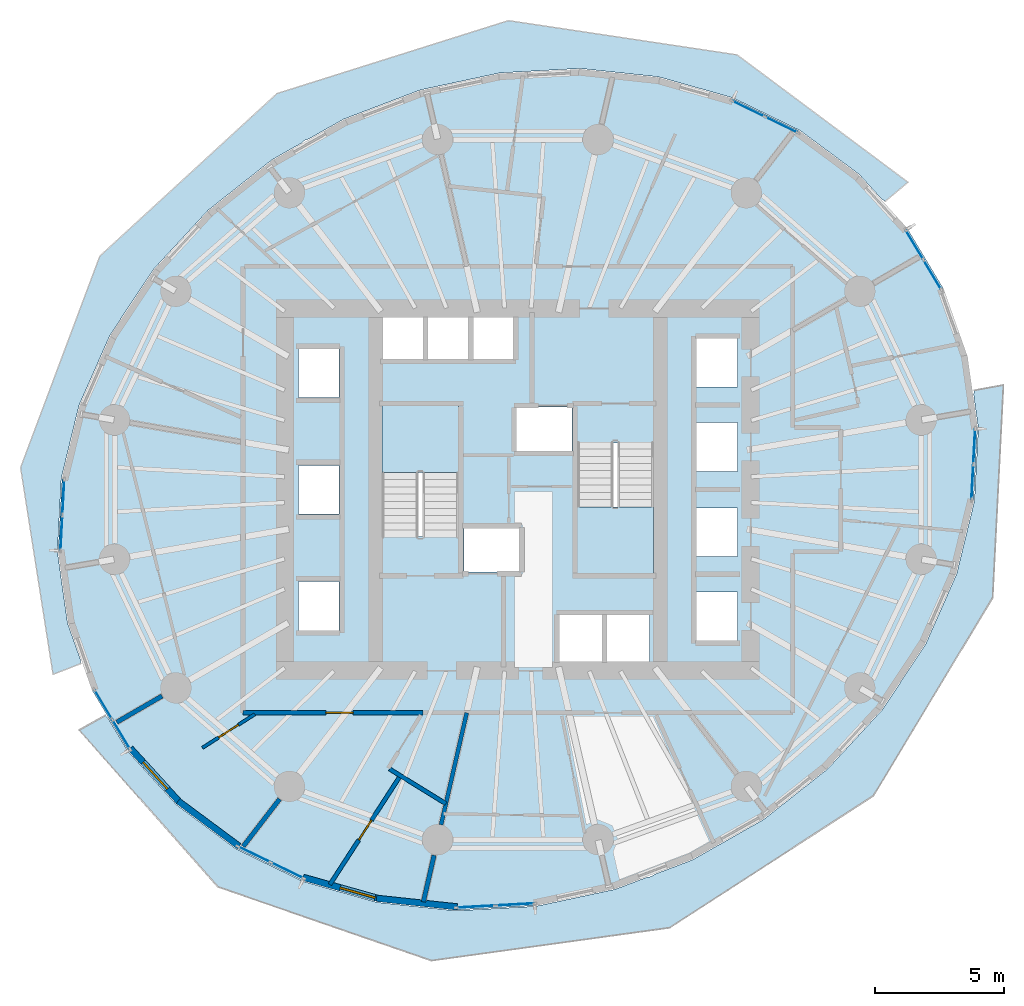
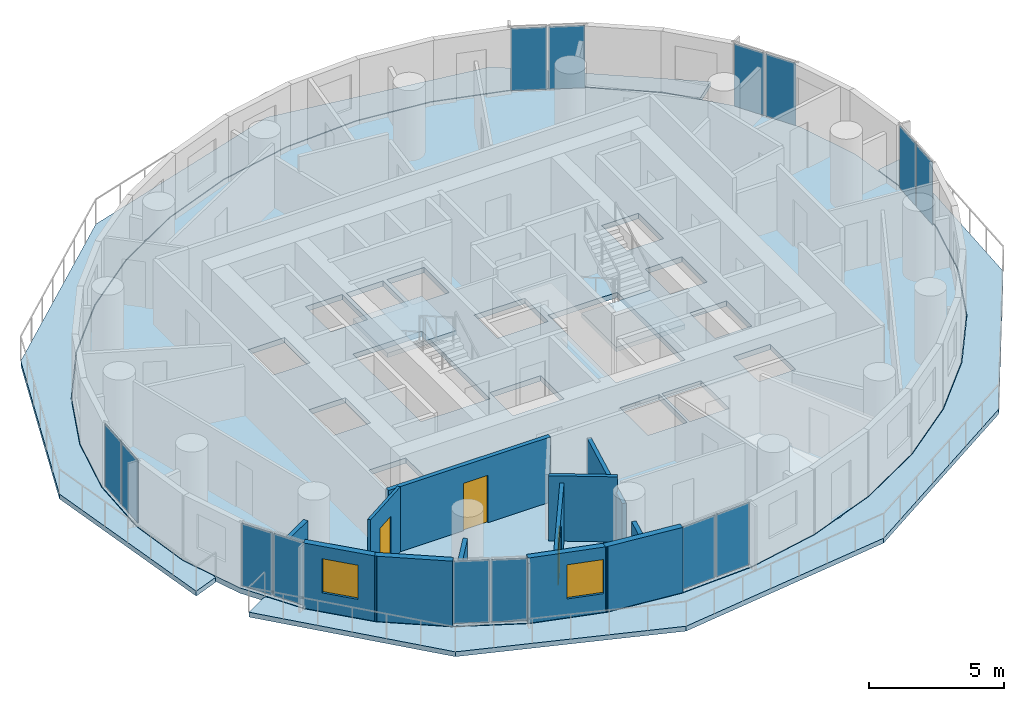
# One storey, part 6 of 15: 14 plates, 12 walls, 5 slabs, 3 doors, 2 windows, 5 openings, 9 elements without a shape of their own.
"""IFC4 building model written with IfcOpenShell, lengths in metres."""

from ifc_helpers import new_model, si_unit, direction, frame, frame_2d, origin, origin_2d, place, context, subcontext, project, spatial, polyline, rectangle, outline, extrude, material, layer, layer_set, type_object, element, fill, aggregate, save


model = new_model("IFC4")

# Units and contexts
model_context = context("Model", 3, precision=1e-05, world=origin(), true_north=direction((0.0, 1.0)))
body_context = subcontext(model_context, "Body", "Model", "MODEL_VIEW")
ifc_project = project(units=[si_unit("LENGTHUNIT", "METRE"), si_unit("AREAUNIT", "SQUARE_METRE"), si_unit("VOLUMEUNIT", "CUBIC_METRE"), si_unit("PLANEANGLEUNIT", "RADIAN"), si_unit("MASSUNIT", "GRAM", prefix="KILO")], contexts=[model_context])

# Site, building, storey
site_placement = place(None, origin())
site = spatial("IfcSite", under=ifc_project, at=site_placement, CompositionType="ELEMENT")
building_placement = place(site_placement, origin())
building = spatial("IfcBuilding", under=site, at=building_placement, Name="Veldorim Arch Residences", CompositionType="ELEMENT")
storey_placement = place(building_placement, frame((0.0, 0.0, 102.8798828125)))
storey = spatial("IfcBuildingStorey", under=building, at=storey_placement, Name="L30", CompositionType="ELEMENT", Elevation=102.8798828125)

# Slabs
ifc_material_1 = material(Name="Concrete C40/50", Category="concrete")
ifc_layer_1 = layer(ifc_material_1, 0.219970703125, Name="Planted Crescent Cantilever Balcony Slab 220")
ifc_layer_set_1 = layer_set([ifc_layer_1], Name="Concrete C40/50")
slab_type_1 = type_object("IfcSlabType", Name="Planted Crescent Cantilever Balcony Slab 220", PredefinedType="FLOOR", material=ifc_layer_set_1)
slab_1_placement = place(storey_placement, frame((0.0, 0.0, -0.219970703125)))
element("IfcSlab", 1, at=slab_1_placement, inside=storey, type_object=slab_type_1, Name="L30 planted crescent balcony slab A", PredefinedType="FLOOR", context=body_context, shape_type="SweptSolid", body=[
    extrude(outline(polyline([(46.057373046875, 35.239501953125), (45.190673828125, 36.190185546875), (42.910888671875, 37.880615234375), (40.2998046875, 39.149169921875), (37.436767578125, 39.957275390625), (34.408447265625, 40.280517578125), (31.307373046875, 40.109375), (28.227294921875, 39.44873046875), (25.261962890625, 38.319091796875), (23.923095703125, 37.56005859375), (23.7548828125, 37.504638671875), (23.631103515625, 37.39453125), (22.501220703125, 36.754150390625), (20.029052734375, 34.802001953125), (17.92041015625, 32.521728515625), (16.2392578125, 29.982421875), (15.036865234375, 27.26123046875), (14.35009765625, 24.44091796875), (14.19921875, 21.606689453125), (14.589599609375, 18.84521484375), (15.085205078125, 17.441650390625), (15.100830078125, 17.272705078125), (14.028564453125, 16.857177734375), (12.7744140625, 24.85107421875), (15.839111328125, 33.02880859375), (22.68603515625, 39.3125), (31.63671875, 42.13330078125), (40.476318359375, 40.808349609375), (47.08251953125, 35.884765625), (46.20166015625, 35.1455078125), (46.057373046875, 35.239501953125)])), origin(), (0.0, 0.0, 1.0), 0.219970703125),
])
slab_2_placement = place(storey_placement, frame((0.0, 0.0, -0.219970703125)))
element("IfcSlab", 2, at=slab_2_placement, inside=storey, type_object=slab_type_1, Name="L30 planted crescent balcony slab B", PredefinedType="FLOOR", context=body_context, shape_type="SweptSolid", body=[
    extrude(outline(polyline([(16.164794921875, 15.1474609375), (16.930419921875, 13.87109375), (18.809326171875, 11.809814453125), (21.089111328125, 10.119384765625), (23.7001953125, 8.850830078125), (26.563232421875, 8.042724609375), (29.591552734375, 7.719482421875), (32.692626953125, 7.890625), (35.772705078125, 8.55126953125), (36.986083984375, 9.013671875), (37.14990234375, 9.038818359375), (37.2998046875, 9.133056640625), (38.738037109375, 9.680908203125), (41.498779296875, 11.245849609375), (43.970947265625, 13.197998046875), (46.07958984375, 15.478271484375), (47.7607421875, 18.017578125), (48.963134765625, 20.73876953125), (49.64990234375, 23.55908203125), (49.80078125, 26.393310546875), (49.62060546875, 27.6669921875), (49.640380859375, 27.838134765625), (50.771484375, 28.045654296875), (50.35400390625, 19.81689453125), (45.740234375, 12.16162109375), (37.861572265625, 7.06298828125), (28.655517578125, 5.79248046875), (20.40087890625, 8.64404296875), (15.041015625, 14.705810546875), (16.044677734375, 15.26708984375), (16.164794921875, 15.1474609375)])), origin(), (0.0, 0.0, 1.0), 0.219970703125),
])

# Stair, slab
ifc_material_2 = material(Name="Concrete C40/50", Category="concrete")
stair_type = type_object("IfcStairType", Name="Reinforced Concrete Dogleg Exit Staircase", PredefinedType="HALF_TURN_STAIR", material=ifc_material_2)
stair_1_placement = place(storey_placement, origin())
stair_1 = element("IfcStair", 3, at=stair_1_placement, inside=storey, type_object=stair_type, Name="L30 Exit Staircase ST-1", PredefinedType="HALF_TURN_STAIR")
ifc_material_3 = material(Name="Concrete C40/50", Category="concrete")
ifc_layer_2 = layer(ifc_material_3, 0.199951171875, Name="Reinforced Concrete Stair Landing 200")
ifc_layer_set_2 = layer_set([ifc_layer_2], Name="Concrete C40/50")
slab_type_2 = type_object("IfcSlabType", Name="Reinforced Concrete Stair Landing 200", PredefinedType="LANDING", material=ifc_layer_set_2)
slab_3_placement = place(storey_placement, frame((0.0, 0.0, 1.400146484375)))
slab_3 = element("IfcSlab", 4, at=slab_3_placement, type_object=slab_type_2, Name="ST-1 landing 1", PredefinedType="LANDING", context=body_context, shape_type="SweptSolid", body=[
    extrude(outline(polyline([(29.7099609375, 24.669921875), (29.7099609375, 27.25), (26.75, 27.25), (26.75, 24.669921875), (29.7099609375, 24.669921875)])), origin(), (0.0, 0.0, 1.0), 0.199951171875),
])
aggregate(stair_1, [slab_3])

stair_2_placement = place(storey_placement, origin())
stair_2 = element("IfcStair", 5, at=stair_2_placement, inside=storey, type_object=stair_type, Name="L30 Exit Staircase ST-2", PredefinedType="HALF_TURN_STAIR")
slab_4_placement = place(storey_placement, frame((0.0, 0.0, 1.400146484375)))
slab_4 = element("IfcSlab", 6, at=slab_4_placement, type_object=slab_type_2, Name="ST-2 landing 1", PredefinedType="LANDING", context=body_context, shape_type="SweptSolid", body=[
    extrude(outline(polyline([(34.2900390625, 23.330078125), (34.2900390625, 20.75), (37.25, 20.75), (37.25, 23.330078125), (34.2900390625, 23.330078125)])), origin(), (0.0, 0.0, 1.0), 0.199951171875),
])
aggregate(stair_2, [slab_4])

# Slab
ifc_material_4 = material(Name="Concrete C40/50", Category="concrete")
ifc_layer_3 = layer(ifc_material_4, 0.239990234375, Name="Typical Residential Floor Slab 240")
ifc_layer_set_3 = layer_set([ifc_layer_3], Name="Concrete C40/50")
slab_type_3 = type_object("IfcSlabType", Name="Typical Residential Floor Slab 240", PredefinedType="FLOOR", material=ifc_layer_set_3)
slab_5_placement = place(storey_placement, frame((0.0, 0.0, -0.239990234375)))
element("IfcSlab", 7, at=slab_5_placement, inside=storey, type_object=slab_type_3, Name="L30 tower structural floor slab", PredefinedType="FLOOR", context=body_context, shape_type="SweptSolid", body=[
    extrude(outline(polyline([(48.468017578125, 31.749267578125), (47.049560546875, 34.114013671875), (45.173828125, 36.17138671875), (42.89794921875, 37.859130859375), (40.291015625, 39.125732421875), (37.431884765625, 39.9326171875), (34.407958984375, 40.255615234375), (31.310791015625, 40.08447265625), (28.234619140625, 39.4248046875), (25.272705078125, 38.29638671875), (22.515380859375, 36.7333984375), (20.046142578125, 34.78369140625), (17.940185546875, 32.50634765625), (16.26123046875, 29.970458984375), (15.060791015625, 27.253173828125), (14.374755859375, 24.43701171875), (14.224365234375, 21.60791015625), (14.614013671875, 18.85107421875), (15.531982421875, 16.250732421875), (16.950439453125, 13.885986328125), (18.826171875, 11.82861328125), (21.10205078125, 10.140869140625), (23.708984375, 8.874267578125), (26.568115234375, 8.0673828125), (29.592041015625, 7.744384765625), (32.689208984375, 7.91552734375), (35.765380859375, 8.5751953125), (38.727294921875, 9.70361328125), (41.484619140625, 11.2666015625), (43.953857421875, 13.21630859375), (46.059814453125, 15.49365234375), (47.73876953125, 18.029541015625), (48.939208984375, 20.746826171875), (49.625244140625, 23.56298828125), (49.775634765625, 26.39208984375), (49.385986328125, 29.14892578125), (48.468017578125, 31.749267578125)]), holes=[polyline([(23.510009765625, 20.43994140625), (25.090087890625, 20.43994140625), (25.090087890625, 18.56005859375), (23.510009765625, 18.56005859375), (23.510009765625, 20.43994140625)]), polyline([(29.909912109375, 22.544921875), (32.090087890625, 22.544921875), (32.090087890625, 20.81494140625), (29.909912109375, 20.81494140625), (29.909912109375, 22.544921875)]), polyline([(23.510009765625, 24.93994140625), (25.090087890625, 24.93994140625), (25.090087890625, 23.06005859375), (23.510009765625, 23.06005859375), (23.510009765625, 24.93994140625)]), polyline([(26.75, 27.25), (29.7099609375, 27.25), (29.7099609375, 22.195068359375), (26.75, 22.195068359375), (26.75, 27.25)]), polyline([(23.510009765625, 29.43994140625), (25.090087890625, 29.43994140625), (25.090087890625, 27.56005859375), (23.510009765625, 27.56005859375), (23.510009765625, 29.43994140625)]), polyline([(26.760009765625, 30.7900390625), (28.340087890625, 30.7900390625), (28.340087890625, 28.909912109375), (26.760009765625, 28.909912109375), (26.760009765625, 30.7900390625)]), polyline([(28.510009765625, 30.7900390625), (30.090087890625, 30.7900390625), (30.090087890625, 28.909912109375), (28.510009765625, 28.909912109375), (28.510009765625, 30.7900390625)]), polyline([(30.260009765625, 30.7900390625), (31.840087890625, 30.7900390625), (31.840087890625, 28.909912109375), (30.260009765625, 28.909912109375), (30.260009765625, 30.7900390625)]), polyline([(33.610107421875, 19.2900390625), (35.2900390625, 19.2900390625), (35.2900390625, 17.2099609375), (33.610107421875, 17.2099609375), (33.610107421875, 19.2900390625)]), polyline([(35.409912109375, 19.2900390625), (37.090087890625, 19.2900390625), (37.090087890625, 17.2099609375), (35.409912109375, 17.2099609375), (35.409912109375, 19.2900390625)]), polyline([(38.909912109375, 20.0400390625), (40.489990234375, 20.0400390625), (40.489990234375, 18.159912109375), (38.909912109375, 18.159912109375), (38.909912109375, 20.0400390625)]), polyline([(38.909912109375, 23.2900390625), (40.489990234375, 23.2900390625), (40.489990234375, 21.409912109375), (38.909912109375, 21.409912109375), (38.909912109375, 23.2900390625)]), polyline([(34.2900390625, 25.804931640625), (37.25, 25.804931640625), (37.25, 20.75), (34.2900390625, 20.75), (34.2900390625, 25.804931640625)]), polyline([(38.909912109375, 26.590087890625), (40.489990234375, 26.590087890625), (40.489990234375, 24.7099609375), (38.909912109375, 24.7099609375), (38.909912109375, 26.590087890625)]), polyline([(31.909912109375, 27.18505859375), (34.090087890625, 27.18505859375), (34.090087890625, 25.455078125), (31.909912109375, 25.455078125), (31.909912109375, 27.18505859375)]), polyline([(38.909912109375, 29.840087890625), (40.489990234375, 29.840087890625), (40.489990234375, 27.9599609375), (38.909912109375, 27.9599609375), (38.909912109375, 29.840087890625)])]), origin(), (0.0, 0.0, 1.0), 0.239990234375),
])

# Curtain wall, plates
ifc_material_5 = material(Name="Aluminium", Category="aluminium")
curtain_wall_type = type_object("IfcCurtainWallType", Name="Zone 2 Solar-Control Unitised Curtain Wall", PredefinedType="NOTDEFINED", material=ifc_material_5)
curtain_wall_1_placement = place(storey_placement, origin())
curtain_wall_1 = element("IfcCurtainWall", 8, at=curtain_wall_1_placement, inside=storey, type_object=curtain_wall_type, Name="L30 unitised curtain wall bay 01", PredefinedType="NOTDEFINED")
ifc_material_6 = material(Name="Laminated Low-E Glass", Category="glass")
ifc_layer_4 = layer(ifc_material_6, 0.02587890625, Name="Zone 2 Solar-Control Unitised Curtain Wall Glazing Panel 26")
ifc_layer_set_4 = layer_set([ifc_layer_4], Name="Laminated Low-E Glass")
plate_type = type_object("IfcPlateType", Name="Zone 2 Solar-Control Unitised Curtain Wall Glazing Panel 26", PredefinedType="CURTAIN_PANEL", material=ifc_layer_set_4)
plate_1_placement = place(storey_placement, frame((47.335205078125, 33.462646484375, 0.065185546875), z_axis=(0.0, 0.0, 1.0), x_axis=(0.514367759315, -0.85756971039, 0.0)))
plate_1 = element("IfcPlate", 9, at=plate_1_placement, type_object=plate_type, Name="CW-Z2 panel 1.1", PredefinedType="CURTAIN_PANEL", context=body_context, shape_type="SweptSolid", body=[
    extrude(rectangle(XDim=1.28125, YDim=0.02587890625, at=origin_2d()), origin(), (0.0, 0.0, 1.0), 2.830078125),
])
plate_2_placement = place(storey_placement, frame((48.02783203125, 32.30810546875, 0.065185546875), z_axis=(0.0, 0.0, 1.0), x_axis=(0.514367759315, -0.85756971039, 0.0)))
plate_2 = element("IfcPlate", 10, at=plate_2_placement, type_object=plate_type, Name="CW-Z2 panel 2.1", PredefinedType="CURTAIN_PANEL", context=body_context, shape_type="SweptSolid", body=[
    extrude(rectangle(XDim=1.28125, YDim=0.02587890625, at=origin_2d()), origin(), (0.0, 0.0, 1.0), 2.830078125),
])
aggregate(curtain_wall_1, [plate_1, plate_2])

curtain_wall_2_placement = place(storey_placement, origin())
curtain_wall_2 = element("IfcCurtainWall", 11, at=curtain_wall_2_placement, inside=storey, type_object=curtain_wall_type, Name="L30 unitised curtain wall bay 04", PredefinedType="NOTDEFINED")
plate_3_placement = place(storey_placement, frame((40.91796875, 38.720947265625, 0.065185546875), z_axis=(0.0, 0.0, 1.0), x_axis=(0.899461664946, -0.436999671959, 0.0)))
plate_3 = element("IfcPlate", 12, at=plate_3_placement, type_object=plate_type, Name="CW-Z2 panel 1.1", PredefinedType="CURTAIN_PANEL", context=body_context, shape_type="SweptSolid", body=[
    extrude(rectangle(XDim=1.351806640625, YDim=0.02587890625, at=origin_2d()), origin(), (0.0, 0.0, 1.0), 2.830078125),
])
plate_4_placement = place(storey_placement, frame((42.192138671875, 38.101806640625, 0.065185546875), z_axis=(0.0, 0.0, 1.0), x_axis=(0.899461664946, -0.436999671959, 0.0)))
plate_4 = element("IfcPlate", 13, at=plate_4_placement, type_object=plate_type, Name="CW-Z2 panel 2.1", PredefinedType="CURTAIN_PANEL", context=body_context, shape_type="SweptSolid", body=[
    extrude(rectangle(XDim=1.351806640625, YDim=0.02587890625, at=origin_2d()), origin(), (0.0, 0.0, 1.0), 2.830078125),
])
aggregate(curtain_wall_2, [plate_3, plate_4])

curtain_wall_3_placement = place(storey_placement, origin())
curtain_wall_3 = element("IfcCurtainWall", 14, at=curtain_wall_3_placement, inside=storey, type_object=curtain_wall_type, Name="L30 unitised curtain wall bay 16", PredefinedType="NOTDEFINED")
plate_5_placement = place(storey_placement, frame((14.352783203125, 22.32666015625, 0.065185546875), z_axis=(0.0, 0.0, 1.0), x_axis=(0.053083077429, 0.998590099536, 0.0)))
plate_5 = element("IfcPlate", 15, at=plate_5_placement, type_object=plate_type, Name="CW-Z2 panel 1.1", PredefinedType="CURTAIN_PANEL", context=body_context, shape_type="SweptSolid", body=[
    extrude(rectangle(XDim=1.319091796875, YDim=0.02587890625, at=origin_2d()), origin(), (0.0, 0.0, 1.0), 2.830078125),
])
plate_6_placement = place(storey_placement, frame((14.42626953125, 23.708740234375, 0.065185546875), z_axis=(0.0, 0.0, 1.0), x_axis=(0.053083077429, 0.998590099536, 0.0)))
plate_6 = element("IfcPlate", 16, at=plate_6_placement, type_object=plate_type, Name="CW-Z2 panel 2.1", PredefinedType="CURTAIN_PANEL", context=body_context, shape_type="SweptSolid", body=[
    extrude(rectangle(XDim=1.319091796875, YDim=0.02587890625, at=origin_2d()), origin(), (0.0, 0.0, 1.0), 2.830078125),
])
aggregate(curtain_wall_3, [plate_5, plate_6])

curtain_wall_4_placement = place(storey_placement, origin())
curtain_wall_4 = element("IfcCurtainWall", 17, at=curtain_wall_4_placement, inside=storey, type_object=curtain_wall_type, Name="L30 unitised curtain wall bay 19", PredefinedType="NOTDEFINED")
plate_7_placement = place(storey_placement, frame((16.664794921875, 14.537353515625, 0.065185546875), z_axis=(0.0, 0.0, 1.0), x_axis=(-0.514367759315, 0.85756971039, 0.0)))
plate_7 = element("IfcPlate", 18, at=plate_7_placement, type_object=plate_type, Name="CW-Z2 panel 1.1", PredefinedType="CURTAIN_PANEL", context=body_context, shape_type="SweptSolid", body=[
    extrude(rectangle(XDim=1.28125, YDim=0.02587890625, at=origin_2d()), origin(), (0.0, 0.0, 1.0), 2.830078125),
])
plate_8_placement = place(storey_placement, frame((15.97216796875, 15.69189453125, 0.065185546875), z_axis=(0.0, 0.0, 1.0), x_axis=(-0.514367759315, 0.85756971039, 0.0)))
plate_8 = element("IfcPlate", 19, at=plate_8_placement, type_object=plate_type, Name="CW-Z2 panel 2.1", PredefinedType="CURTAIN_PANEL", context=body_context, shape_type="SweptSolid", body=[
    extrude(rectangle(XDim=1.28125, YDim=0.02587890625, at=origin_2d()), origin(), (0.0, 0.0, 1.0), 2.830078125),
])
aggregate(curtain_wall_4, [plate_7, plate_8])

curtain_wall_5_placement = place(storey_placement, origin())
curtain_wall_5 = element("IfcCurtainWall", 20, at=curtain_wall_5_placement, inside=storey, type_object=curtain_wall_type, Name="L30 unitised curtain wall bay 22", PredefinedType="NOTDEFINED")
plate_9_placement = place(storey_placement, frame((23.08203125, 9.279052734375, 0.065185546875), z_axis=(0.0, 0.0, 1.0), x_axis=(-0.899461664946, 0.436999671959, 0.0)))
plate_9 = element("IfcPlate", 21, at=plate_9_placement, type_object=plate_type, Name="CW-Z2 panel 1.1", PredefinedType="CURTAIN_PANEL", context=body_context, shape_type="SweptSolid", body=[
    extrude(rectangle(XDim=1.351806640625, YDim=0.02587890625, at=origin_2d()), origin(), (0.0, 0.0, 1.0), 2.830078125),
])
plate_10_placement = place(storey_placement, frame((21.807861328125, 9.898193359375, 0.065185546875), z_axis=(0.0, 0.0, 1.0), x_axis=(-0.899461664946, 0.436999671959, 0.0)))
plate_10 = element("IfcPlate", 22, at=plate_10_placement, type_object=plate_type, Name="CW-Z2 panel 2.1", PredefinedType="CURTAIN_PANEL", context=body_context, shape_type="SweptSolid", body=[
    extrude(rectangle(XDim=1.351806640625, YDim=0.02587890625, at=origin_2d()), origin(), (0.0, 0.0, 1.0), 2.830078125),
])
aggregate(curtain_wall_5, [plate_9, plate_10])

curtain_wall_6_placement = place(storey_placement, origin())
curtain_wall_6 = element("IfcCurtainWall", 23, at=curtain_wall_6_placement, inside=storey, type_object=curtain_wall_type, Name="L30 unitised curtain wall bay 25", PredefinedType="NOTDEFINED")
plate_11_placement = place(storey_placement, frame((31.893798828125, 7.961669921875, 0.065185546875), z_axis=(0.0, 0.0, 1.0), x_axis=(-0.998479339649, -0.055127201045, 0.0)))
plate_11 = element("IfcPlate", 24, at=plate_11_placement, type_object=plate_type, Name="CW-Z2 panel 1.1", PredefinedType="CURTAIN_PANEL", context=body_context, shape_type="SweptSolid", body=[
    extrude(rectangle(XDim=1.453369140625, YDim=0.02587890625, at=origin_2d()), origin(), (0.0, 0.0, 1.0), 2.830078125),
])
plate_12_placement = place(storey_placement, frame((30.377685546875, 7.8779296875, 0.065185546875), z_axis=(0.0, 0.0, 1.0), x_axis=(-0.998479339649, -0.055127201045, 0.0)))
plate_12 = element("IfcPlate", 25, at=plate_12_placement, type_object=plate_type, Name="CW-Z2 panel 2.1", PredefinedType="CURTAIN_PANEL", context=body_context, shape_type="SweptSolid", body=[
    extrude(rectangle(XDim=1.453369140625, YDim=0.02587890625, at=origin_2d()), origin(), (0.0, 0.0, 1.0), 2.830078125),
])
aggregate(curtain_wall_6, [plate_11, plate_12])

curtain_wall_7_placement = place(storey_placement, origin())
curtain_wall_7 = element("IfcCurtainWall", 26, at=curtain_wall_7_placement, inside=storey, type_object=curtain_wall_type, Name="L30 unitised curtain wall bay 34", PredefinedType="NOTDEFINED")
plate_13_placement = place(storey_placement, frame((49.647216796875, 25.67333984375, 0.065185546875), z_axis=(0.0, 0.0, 1.0), x_axis=(-0.053083077429, -0.998590099536, 0.0)))
plate_13 = element("IfcPlate", 27, at=plate_13_placement, type_object=plate_type, Name="CW-Z2 panel 1.1", PredefinedType="CURTAIN_PANEL", context=body_context, shape_type="SweptSolid", body=[
    extrude(rectangle(XDim=1.319091796875, YDim=0.02587890625, at=origin_2d()), origin(), (0.0, 0.0, 1.0), 2.830078125),
])
plate_14_placement = place(storey_placement, frame((49.57373046875, 24.291259765625, 0.065185546875), z_axis=(0.0, 0.0, 1.0), x_axis=(-0.053083077429, -0.998590099536, 0.0)))
plate_14 = element("IfcPlate", 28, at=plate_14_placement, type_object=plate_type, Name="CW-Z2 panel 2.1", PredefinedType="CURTAIN_PANEL", context=body_context, shape_type="SweptSolid", body=[
    extrude(rectangle(XDim=1.319091796875, YDim=0.02587890625, at=origin_2d()), origin(), (0.0, 0.0, 1.0), 2.830078125),
])
aggregate(curtain_wall_7, [plate_13, plate_14])

# Wall, opening, door
ifc_material_7 = material(Name="Acoustic Gypsum Board", Category="gypsum")
ifc_layer_5 = layer(ifc_material_7, 0.125, Name="Acoustic Stud Room Partition Wall 125")
ifc_layer_set_5 = layer_set([ifc_layer_5], Name="Acoustic Gypsum Board")
wall_type_1 = type_object("IfcWallType", Name="Acoustic Stud Room Partition Wall 125", PredefinedType="PARTITIONING", material=ifc_layer_set_5)
wall_1_placement = place(storey_placement, frame((19.80224609375, 14.01416015625, 0.0), z_axis=(0.0, 0.0, 1.0), x_axis=(0.841349696578, 0.540491154477, 0.0)))
wall_1 = element("IfcWall", 29, at=wall_1_placement, inside=storey, type_object=wall_type_1, Name="L30 interior wall WL-RES-L30-033", PredefinedType="PARTITIONING", context=body_context, shape_type="SweptSolid", body=[
    extrude(rectangle(XDim=2.408447265625, YDim=0.125, at=frame_2d((1.2041015625, 0.0))), origin(), (0.0, 0.0, 1.0), 2.955078125),
])
opening_1_placement = place(wall_1_placement, frame((0.754150390625, 0.0, 0.0)))
opening_1 = element("IfcOpeningElement", 30, at=opening_1_placement, cuts=wall_1, Name="Opening DR-INT", PredefinedType="OPENING", context=body_context, shape_type="SweptSolid", body=[
    extrude(rectangle(XDim=0.89990234375, YDim=2.10009765625, at=frame_2d((0.449951171875, 1.050048828125))), frame((0.0, 0.072509765625, 0.0), z_axis=(0.0, -1.0, 0.0), x_axis=(1.0, 0.0, 0.0)), (0.0, 0.0, 1.0), 0.14501953125),
])
ifc_material_8 = material(Name="Engineered Timber", Category="wood")
door_type_1 = type_object("IfcDoorType", Name="Apartment Internal Room Timber Door 900x2100", OperationType="SINGLE_SWING_LEFT", PredefinedType="DOOR", material=ifc_material_8)
door_1_placement = place(opening_1_placement, origin())
door_1 = element("IfcDoor", 31, at=door_1_placement, inside=storey, type_object=door_type_1, Name="L30 interior door DR-RES-L30-021", OperationType="SINGLE_SWING_LEFT", OverallHeight=2.10009765625, OverallWidth=0.89990234375, PredefinedType="DOOR", context=body_context, shape_type="SweptSolid", body=[
    extrude(rectangle(XDim=0.89990234375, YDim=2.10009765625, at=frame_2d((0.449951171875, 1.050048828125))), frame((0.0, 0.02490234375, 0.0), z_axis=(0.0, -1.0, 0.0), x_axis=(1.0, 0.0, 0.0)), (0.0, 0.0, 1.0), 0.050048828125),
])
fill(opening_1, door_1)

# Walls
ifc_material_9 = material(Name="Lightweight Masonry Block & Gypsum", Category="masonry")
ifc_layer_6 = layer(ifc_material_9, 0.179931640625, Name="Compartment & Corridor Fire-Rated Party Wall 180")
ifc_layer_set_6 = layer_set([ifc_layer_6], Name="Lightweight Masonry Block & Gypsum")
wall_type_2 = type_object("IfcWallType", Name="Compartment & Corridor Fire-Rated Party Wall 180", PredefinedType="PARTITIONING", material=ifc_layer_set_6)
wall_2_placement = place(storey_placement, frame((18.243408203125, 16.022216796875, 0.0), z_axis=(0.0, 0.0, 1.0), x_axis=(-0.865046864493, -0.501691062539, 0.0)))
element("IfcWall", 32, at=wall_2_placement, inside=storey, type_object=wall_type_2, Name="L30 interior wall WL-PIER-L30-10", PredefinedType="PARTITIONING", context=body_context, shape_type="SweptSolid", body=[
    extrude(rectangle(XDim=2.02783203125, YDim=0.179931640625, at=frame_2d((1.013916015625, 0.0))), origin(), (0.0, 0.0, 1.0), 2.2607421875),
])
wall_3_placement = place(storey_placement, frame((22.7880859375, 12.034423828125, 0.0), z_axis=(0.0, 0.0, 1.0), x_axis=(-0.610007255548, -0.792395827967, 0.0)))
element("IfcWall", 33, at=wall_3_placement, inside=storey, type_object=wall_type_2, Name="L30 interior wall WL-PIER-L30-11", PredefinedType="PARTITIONING", context=body_context, shape_type="SweptSolid", body=[
    extrude(rectangle(XDim=2.3076171875, YDim=0.179931640625, at=frame_2d((1.15380859375, 0.0))), origin(), (0.0, 0.0, 1.0), 2.2607421875),
])
wall_4_placement = place(storey_placement, frame((28.759521484375, 9.86083984375, 0.0), z_axis=(0.0, 0.0, 1.0), x_axis=(-0.2234127464, -0.974723932581, 0.0)))
element("IfcWall", 34, at=wall_4_placement, inside=storey, type_object=wall_type_2, Name="L30 interior wall WL-PIER-L30-12", PredefinedType="PARTITIONING", context=body_context, shape_type="SweptSolid", body=[
    extrude(rectangle(XDim=1.848876953125, YDim=0.179931640625, at=frame_2d((0.92431640625, 0.0))), origin(), (0.0, 0.0, 1.0), 2.2607421875),
])

# Wall, opening, door
wall_5_placement = place(storey_placement, frame((28.3251953125, 15.3701171875, 0.0), z_axis=(0.0, 0.0, 1.0), x_axis=(-1.0, 0.0, 0.0)))
wall_5 = element("IfcWall", 35, at=wall_5_placement, inside=storey, type_object=wall_type_2, Name="L30 interior wall WL-RES-L30-010", PredefinedType="PARTITIONING", context=body_context, shape_type="SweptSolid", body=[
    extrude(rectangle(XDim=6.955078125, YDim=0.179931640625, at=frame_2d((3.4775390625, 0.0))), origin(), (0.0, 0.0, 1.0), 2.955078125),
])
opening_2_placement = place(wall_5_placement, frame((2.69970703125, 0.0, 0.0)))
opening_2 = element("IfcOpeningElement", 36, at=opening_2_placement, cuts=wall_5, Name="Opening DR-FLT", PredefinedType="OPENING", context=body_context, shape_type="SweptSolid", body=[
    extrude(rectangle(XDim=1.050048828125, YDim=2.14990234375, at=frame_2d((0.52490234375, 1.074951171875))), frame((0.0, 0.099853515625, 0.0), z_axis=(0.0, -1.0, 0.0), x_axis=(1.0, 0.0, 0.0)), (0.0, 0.0, 1.0), 0.199951171875),
])
ifc_material_10 = material(Name="Fire-Rated Timber", Category="wood")
door_type_2 = type_object("IfcDoorType", Name="Apartment Entrance Solid-Core Fire Door 1050x2150", OperationType="SINGLE_SWING_LEFT", PredefinedType="DOOR", material=ifc_material_10)
door_2_placement = place(opening_2_placement, origin())
door_2 = element("IfcDoor", 37, at=door_2_placement, inside=storey, type_object=door_type_2, Name="L30 interior door DR-RES-L30-019", OperationType="SINGLE_SWING_LEFT", OverallHeight=2.14990234375, OverallWidth=1.050048828125, PredefinedType="DOOR", context=body_context, shape_type="SweptSolid", body=[
    extrude(rectangle(XDim=1.050048828125, YDim=2.14990234375, at=frame_2d((0.52490234375, 1.074951171875))), frame((0.0, 0.02490234375, 0.0), z_axis=(0.0, -1.0, 0.0), x_axis=(1.0, 0.0, 0.0)), (0.0, 0.0, 1.0), 0.050048828125),
])
fill(opening_2, door_2)

# Wall, opening, window
ifc_material_11 = material(Name="Precast concrete C40/50", Category="concrete")
ifc_layer_7 = layer(ifc_material_11, 0.25, Name="Tower Terracotta Spandrel & Pier Wall 250")
ifc_layer_set_7 = layer_set([ifc_layer_7], Name="Precast concrete C40/50")
wall_type_3 = type_object("IfcWallType", Name="Tower Terracotta Spandrel & Pier Wall 250", PredefinedType="SOLIDWALL", material=ifc_layer_set_7)
wall_6_placement = place(storey_placement, frame((18.948974609375, 11.87939453125, 0.0), z_axis=(0.0, 0.0, 1.0), x_axis=(-0.673691100196, 0.739013059098, 0.0)))
wall_6 = element("IfcWall", 38, at=wall_6_placement, inside=storey, type_object=wall_type_3, Name="L30 terracotta facade wall 20", PredefinedType="SOLIDWALL", context=body_context, shape_type="SweptSolid", body=[
    extrude(rectangle(XDim=2.8740234375, YDim=0.25, at=frame_2d((1.43701171875, 0.0))), origin(), (0.0, 0.0, 1.0), 2.960205078125),
])
opening_3_placement = place(wall_6_placement, frame((0.737060546875, 0.0, 0.85009765625)))
opening_3 = element("IfcOpeningElement", 39, at=opening_3_placement, cuts=wall_6, Name="Opening WN-02", PredefinedType="OPENING", context=body_context, shape_type="SweptSolid", body=[
    extrude(rectangle(XDim=1.39990234375, YDim=1.550048828125, at=frame_2d((0.699951171875, 0.77490234375))), frame((0.0, 0.135009765625, 0.0), z_axis=(0.0, -1.0, 0.0), x_axis=(1.0, 0.0, 0.0)), (0.0, 0.0, 1.0), 0.27001953125),
])
ifc_material_12 = material(Name="Laminated Low-E Glass", Category="glass")
window_type = type_object("IfcWindowType", Name="Residential Casement Window 1400x1550", PartitioningType="SINGLE_PANEL", PredefinedType="WINDOW", material=ifc_material_12)
window_1_placement = place(opening_3_placement, origin())
window_1 = element("IfcWindow", 40, at=window_1_placement, inside=storey, type_object=window_type, Name="L30 solar-control facade window 20", OverallHeight=1.550048828125, OverallWidth=1.39990234375, PartitioningType="SINGLE_PANEL", PredefinedType="WINDOW", context=body_context, shape_type="SweptSolid", body=[
    extrude(rectangle(XDim=1.39990234375, YDim=1.550048828125, at=frame_2d((0.699951171875, 0.77490234375))), frame((0.0, 0.030029296875, 0.0), z_axis=(0.0, -1.0, 0.0), x_axis=(1.0, 0.0, 0.0)), (0.0, 0.0, 1.0), 0.06005859375),
])
fill(opening_3, window_1)

# Wall
wall_7_placement = place(storey_placement, frame((21.212646484375, 10.214599609375, 0.0), z_axis=(0.0, 0.0, 1.0), x_axis=(-0.803255279066, 0.595634918933, 0.0)))
element("IfcWall", 41, at=wall_7_placement, inside=storey, type_object=wall_type_3, Name="L30 terracotta facade wall 21", PredefinedType="SOLIDWALL", context=body_context, shape_type="SweptSolid", body=[
    extrude(rectangle(XDim=2.92333984375, YDim=0.25, at=frame_2d((1.461669921875, 0.0))), origin(), (0.0, 0.0, 1.0), 2.960205078125),
])

# Wall, opening, window
wall_8_placement = place(storey_placement, frame((26.6455078125, 8.17529296875, 0.0), z_axis=(0.0, 0.0, 1.0), x_axis=(-0.962391946781, 0.271664758059, 0.0)))
wall_8 = element("IfcWall", 42, at=wall_8_placement, inside=storey, type_object=wall_type_3, Name="L30 terracotta facade wall 23", PredefinedType="SOLIDWALL", context=body_context, shape_type="SweptSolid", body=[
    extrude(rectangle(XDim=3.06103515625, YDim=0.25, at=frame_2d((1.530517578125, 0.0))), origin(), (0.0, 0.0, 1.0), 2.960205078125),
])
opening_4_placement = place(wall_8_placement, frame((0.175048828125, 0.0, 0.85009765625)))
opening_4 = element("IfcOpeningElement", 43, at=opening_4_placement, cuts=wall_8, Name="Opening WN-02", PredefinedType="OPENING", context=body_context, shape_type="SweptSolid", body=[
    extrude(rectangle(XDim=1.39990234375, YDim=1.550048828125, at=frame_2d((0.699951171875, 0.77490234375))), frame((0.0, 0.135009765625, 0.0), z_axis=(0.0, -1.0, 0.0), x_axis=(1.0, 0.0, 0.0)), (0.0, 0.0, 1.0), 0.27001953125),
])
window_2_placement = place(opening_4_placement, origin())
window_2 = element("IfcWindow", 44, at=window_2_placement, inside=storey, type_object=window_type, Name="L30 solar-control facade window 23", OverallHeight=1.550048828125, OverallWidth=1.39990234375, PartitioningType="SINGLE_PANEL", PredefinedType="WINDOW", context=body_context, shape_type="SweptSolid", body=[
    extrude(rectangle(XDim=1.39990234375, YDim=1.550048828125, at=frame_2d((0.699951171875, 0.77490234375))), frame((0.0, 0.030029296875, 0.0), z_axis=(0.0, -1.0, 0.0), x_axis=(1.0, 0.0, 0.0)), (0.0, 0.0, 1.0), 0.06005859375),
])
fill(opening_4, window_2)

# Walls
wall_9_placement = place(storey_placement, frame((29.650146484375, 7.864013671875, 0.0), z_axis=(0.0, 0.0, 1.0), x_axis=(-0.994353607356, 0.106117404502, 0.0)))
element("IfcWall", 45, at=wall_9_placement, inside=storey, type_object=wall_type_3, Name="L30 terracotta facade wall 24", PredefinedType="SOLIDWALL", context=body_context, shape_type="SweptSolid", body=[
    extrude(rectangle(XDim=3.131103515625, YDim=0.25, at=frame_2d((1.5654296875, 0.0))), origin(), (0.0, 0.0, 1.0), 2.960205078125),
])
ifc_material_13 = material(Name="Moisture-Resistant Gypsum & Stud", Category="gypsum")
ifc_layer_8 = layer(ifc_material_13, 0.159912109375, Name="Wet-Area Moisture-Resistant Plumbing Wall 160")
ifc_layer_set_8 = layer_set([ifc_layer_8], Name="Moisture-Resistant Gypsum & Stud")
wall_type_4 = type_object("IfcWallType", Name="Wet-Area Moisture-Resistant Plumbing Wall 160", PredefinedType="PLUMBINGWALL", material=ifc_layer_set_8)
wall_10_placement = place(storey_placement, frame((29.02978515625, 11.04052734375, 0.0), z_axis=(0.0, 0.0, 1.0), x_axis=(0.223478419757, 0.974708877513, 0.0)))
element("IfcWall", 46, at=wall_10_placement, inside=storey, type_object=wall_type_4, Name="L30 interior wall WL-RES-L30-015", PredefinedType="PLUMBINGWALL", context=body_context, shape_type="SweptSolid", body=[
    extrude(rectangle(XDim=4.44189453125, YDim=0.159912109375, at=frame_2d((2.220947265625, 0.0))), origin(), (0.0, 0.0, 1.0), 2.2607421875),
])

# Wall, opening, door
wall_11_placement = place(storey_placement, frame((27.457763671875, 12.93994140625, 0.0), z_axis=(0.0, 0.0, 1.0), x_axis=(-0.543424886613, -0.839457796801, 0.0)))
wall_11 = element("IfcWall", 47, at=wall_11_placement, inside=storey, type_object=wall_type_4, Name="L30 interior wall WL-RES-L30-032", PredefinedType="PLUMBINGWALL", context=body_context, shape_type="SweptSolid", body=[
    extrude(rectangle(XDim=5.01416015625, YDim=0.159912109375, at=frame_2d((2.507080078125, 0.0))), origin(), (0.0, 0.0, 1.0), 2.6416015625),
])
opening_5_placement = place(wall_11_placement, frame((2.056884765625, 0.0, 0.0)))
opening_5 = element("IfcOpeningElement", 48, at=opening_5_placement, cuts=wall_11, Name="Opening DR-WC", PredefinedType="OPENING", context=body_context, shape_type="SweptSolid", body=[
    extrude(rectangle(XDim=0.89990234375, YDim=2.10009765625, at=frame_2d((0.449951171875, 1.050048828125))), frame((0.0, 0.08984375, 0.0), z_axis=(0.0, -1.0, 0.0), x_axis=(1.0, 0.0, 0.0)), (0.0, 0.0, 1.0), 0.179931640625),
])
ifc_material_14 = material(Name="Laminate Timber", Category="wood")
door_type_3 = type_object("IfcDoorType", Name="Bathroom & Accessible WC Moisture-Sealed Door 900x2100", OperationType="SINGLE_SWING_LEFT", PredefinedType="DOOR", material=ifc_material_14)
door_3_placement = place(opening_5_placement, origin())
door_3 = element("IfcDoor", 49, at=door_3_placement, inside=storey, type_object=door_type_3, Name="L30 interior door DR-RES-L30-020", OperationType="SINGLE_SWING_RIGHT", OverallHeight=2.10009765625, OverallWidth=0.89990234375, PredefinedType="DOOR", context=body_context, shape_type="SweptSolid", body=[
    extrude(rectangle(XDim=0.89990234375, YDim=2.10009765625, at=frame_2d((0.449951171875, 1.050048828125))), frame((0.0, 0.02490234375, 0.0), z_axis=(0.0, -1.0, 0.0), x_axis=(1.0, 0.0, 0.0)), (0.0, 0.0, 1.0), 0.050048828125),
])
fill(opening_5, door_3)

# Wall
wall_12_placement = place(storey_placement, frame((27.03759765625, 13.19873046875, 0.0), z_axis=(0.0, 0.0, 1.0), x_axis=(0.851314293413, -0.524656052887, 0.0)))
element("IfcWall", 50, at=wall_12_placement, inside=storey, type_object=wall_type_4, Name="L30 interior wall WL-RES-L30-035", PredefinedType="PLUMBINGWALL", context=body_context, shape_type="SweptSolid", body=[
    extrude(rectangle(XDim=2.559814453125, YDim=0.159912109375, at=frame_2d((1.27978515625, 0.0))), origin(), (0.0, 0.0, 1.0), 2.955078125),
])

save(model, "model.ifc")
